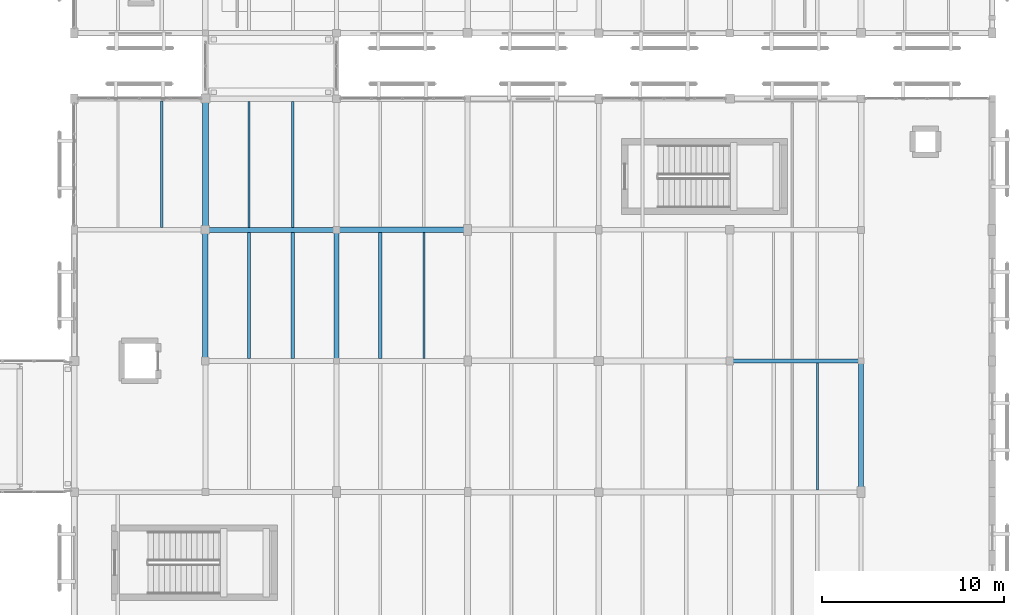
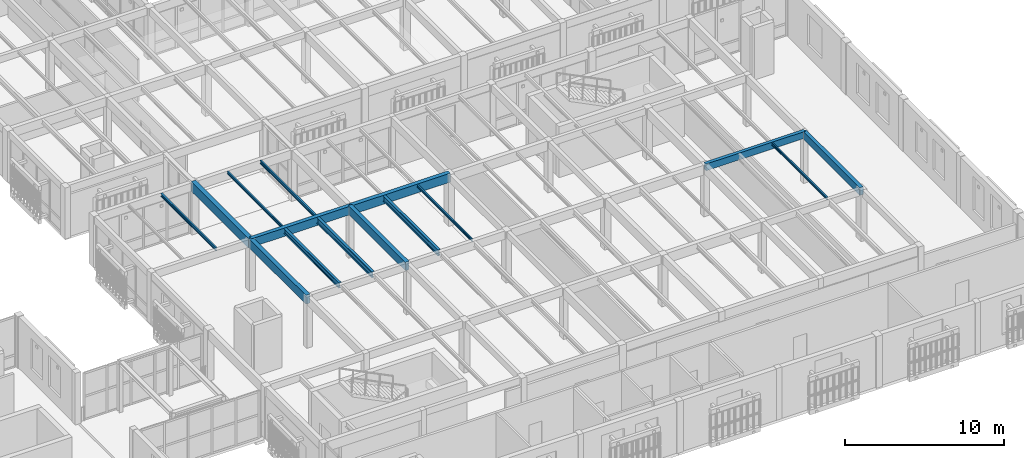
# One storey, part 135 of 217: 15 beams.
"""IFC4 building model written with IfcOpenShell, lengths in metres."""

from ifc_helpers import new_model, si_unit, direction, frame, origin, origin_2d, place, context, subcontext, project, spatial, rectangle, i_section, extrude, material, material_profile, profile_set, type_object, element, save


model = new_model("IFC4")

# Units and contexts
model_context = context("Model", 3, precision=1e-05, world=origin(), true_north=direction((0.0, 1.0)))
body_context = subcontext(model_context, "Body", "Model", "MODEL_VIEW")
ifc_project = project(units=[si_unit("LENGTHUNIT", "METRE"), si_unit("AREAUNIT", "SQUARE_METRE"), si_unit("VOLUMEUNIT", "CUBIC_METRE"), si_unit("PLANEANGLEUNIT", "RADIAN"), si_unit("MASSUNIT", "GRAM", prefix="KILO")], contexts=[model_context])

# Site, building, storey
site_placement = place(None, origin())
site = spatial("IfcSite", under=ifc_project, at=site_placement, CompositionType="ELEMENT")
building_placement = place(site_placement, origin())
building = spatial("IfcBuilding", under=site, at=building_placement, Name="Mazaris Harbour Polytechnic", CompositionType="ELEMENT")
storey_placement = place(building_placement, frame((0.0, 0.0, 9.60009765625)))
storey = spatial("IfcBuildingStorey", under=building, at=storey_placement, Name="L02", CompositionType="ELEMENT", Elevation=9.60009765625)

# Beams
ifc_material_1 = material(Name="Glulam GL32h", Category="wood")
ifc_material_profile_1 = material_profile(ifc_material_1, rectangle(XDim=0.239990234375, YDim=0.52001953125, at=origin_2d()), Name="RECT240x520")
ifc_profile_set_1 = profile_set([ifc_material_profile_1], Name="Glulam GL32h")
beam_type_1 = type_object("IfcBeamType", Name="Glulam Girder 240x520", PredefinedType="BEAM", material=ifc_profile_set_1)
beam_1_placement = place(storey_placement, frame((158.39990234375, 28.800048828125, 3.659912109375), z_axis=(1.0, 0.0, 0.0), x_axis=(0.0, 1.0, 0.0)))
element("IfcBeam", 1, at=beam_1_placement, inside=storey, type_object=beam_type_1, Name="V2 L02 Girder 660", PredefinedType="BEAM", context=body_context, shape_type="SweptSolid", body=[
    extrude(rectangle(XDim=0.239990234375, YDim=0.52001953125, at=origin_2d()), origin(), (0.0, 0.0, 1.0), 7.2001953125),
])
ifc_material_2 = material(Name="Glulam GL32h", Category="wood")
ifc_material_profile_2 = material_profile(ifc_material_2, rectangle(XDim=0.260009765625, YDim=0.580078125, at=origin_2d()), Name="RECT260x580")
ifc_profile_set_2 = profile_set([ifc_material_profile_2], Name="Glulam GL32h")
beam_type_2 = type_object("IfcBeamType", Name="Glulam Girder 260x580 Exterior", PredefinedType="BEAM", material=ifc_profile_set_2)
beam_2_placement = place(storey_placement, frame((165.60009765625, 21.60009765625, 3.6298828125), z_axis=(0.0, 1.0, 0.0), x_axis=(-1.0, 0.0, 0.0)))
element("IfcBeam", 2, at=beam_2_placement, inside=storey, type_object=beam_type_2, Name="V2 L02 Tie Girder 696", PredefinedType="BEAM", context=body_context, shape_type="SweptSolid", body=[
    extrude(rectangle(XDim=0.260009765625, YDim=0.580078125, at=origin_2d()), origin(), (0.0, 0.0, 1.0), 7.199951171875),
])
ifc_material_3 = material(Name="Glulam GL32h", Category="wood")
ifc_material_profile_3 = material_profile(ifc_material_3, rectangle(XDim=0.280029296875, YDim=0.639892578125, at=origin_2d()), Name="RECT280x640")
ifc_profile_set_3 = profile_set([ifc_material_profile_3], Name="Glulam GL32h")
beam_type_3 = type_object("IfcBeamType", Name="Glulam Girder 280x640", PredefinedType="BEAM", material=ifc_profile_set_3)
for number, where, z_axis, x_axis, name in (
    (3, (129.60009765625, 36.0, 3.599853515625), (1.0, 0.0, 0.0), (0.0, 1.0, 0.0), "V2 L02 Girder 662"),
    (4, (136.800048828125, 28.800048828125, 3.599853515625), (0.0, 1.0, 0.0), (-1.0, 0.0, 0.0), "V2 L02 Tie Girder 682"),
):
    element("IfcBeam", number, at=place(storey_placement, frame(where, z_axis=z_axis, x_axis=x_axis)), inside=storey, type_object=beam_type_3, Name=name, PredefinedType="BEAM", context=body_context, shape_type="SweptSolid", body=[
        extrude(rectangle(XDim=0.280029296875, YDim=0.639892578125, at=origin_2d()), origin(), (0.0, 0.0, 1.0), 7.199951171875),
    ])
ifc_material_4 = material(Name="Glulam GL32h", Category="wood")
ifc_material_profile_4 = material_profile(ifc_material_4, rectangle(XDim=0.300048828125, YDim=0.679931640625, at=origin_2d()), Name="RECT300x680")
ifc_profile_set_4 = profile_set([ifc_material_profile_4], Name="Glulam GL32h")
beam_type_4 = type_object("IfcBeamType", Name="Glulam Girder 300x680", PredefinedType="BEAM", material=ifc_profile_set_4)
for number, where, z_axis, x_axis, name in (
    (5, (136.800048828125, 36.0, 3.579833984375), (1.0, 0.0, 0.0), (0.0, 1.0, 0.0), "V2 L02 Girder 663"),
    (6, (129.60009765625, 28.800048828125, 3.579833984375), (0.0, 1.0, 0.0), (-1.0, 0.0, 0.0), "V2 L02 Tie Girder 678"),
):
    element("IfcBeam", number, at=place(storey_placement, frame(where, z_axis=z_axis, x_axis=x_axis)), inside=storey, type_object=beam_type_4, Name=name, PredefinedType="BEAM", context=body_context, shape_type="SweptSolid", body=[
        extrude(rectangle(XDim=0.300048828125, YDim=0.679931640625, at=origin_2d()), origin(), (0.0, 0.0, 1.0), 7.199951171875),
    ])
ifc_material_5 = material(Name="Glulam GL32h", Category="wood")
ifc_material_profile_5 = material_profile(ifc_material_5, rectangle(XDim=0.320068359375, YDim=0.739990234375, at=origin_2d()), Name="RECT320x740")
ifc_profile_set_5 = profile_set([ifc_material_profile_5], Name="Glulam GL32h")
beam_type_5 = type_object("IfcBeamType", Name="Glulam Girder 320x740", PredefinedType="BEAM", material=ifc_profile_set_5)
beam_3_placement = place(storey_placement, frame((129.60009765625, 36.0, 3.5498046875), z_axis=(0.0, 1.0, 0.0), x_axis=(-1.0, 0.0, 0.0)))
element("IfcBeam", 7, at=beam_3_placement, inside=storey, type_object=beam_type_5, Name="V2 L02 Tie Girder 679", PredefinedType="BEAM", context=body_context, shape_type="SweptSolid", body=[
    extrude(rectangle(XDim=0.320068359375, YDim=0.739990234375, at=origin_2d()), origin(), (0.0, 0.0, 1.0), 7.199951171875),
])
ifc_material_6 = material(Name="Steel S355", Category="steel")
ifc_material_profile_6 = material_profile(ifc_material_6, i_section(OverallWidth=0.10009765625, OverallDepth=0.199951171875, WebThickness=0.005615234375, FlangeThickness=0.008544921875, FilletRadius=0.011962890625, at=origin_2d()), Name="IPE 200")
ifc_profile_set_6 = profile_set([ifc_material_profile_6], Name="Steel S355")
beam_type_6 = type_object("IfcBeamType", Name="Steel Joist IPE200", PredefinedType="JOIST", material=ifc_profile_set_6)
for number, where, z_axis, x_axis, name in (
    (8, (132.0, 36.139892578125, 3.81982421875), (0.0, 1.0, 0.0), (-1.0, 0.0, 0.0), "V2 L02 Floor Joist 707"),
    (9, (141.60009765625, 28.93994140625, 3.81982421875), (0.0, 1.0, 0.0), (-1.0, 0.0, 0.0), "V2 L02 Floor Joist 714"),
):
    element("IfcBeam", number, at=place(storey_placement, frame(where, z_axis=z_axis, x_axis=x_axis)), inside=storey, type_object=beam_type_6, Name=name, PredefinedType="JOIST", context=body_context, shape_type="SweptSolid", body=[
        extrude(i_section(OverallWidth=0.10009765625, OverallDepth=0.199951171875, WebThickness=0.005615234375, FlangeThickness=0.008544921875, FilletRadius=0.011962890625, at=origin_2d()), origin(), (0.0, 0.0, 1.0), 6.91015625),
    ])
beam_4_placement = place(storey_placement, frame((163.199951171875, 21.719970703125, 3.81982421875), z_axis=(0.0, 1.0, 0.0), x_axis=(-1.0, 0.0, 0.0)))
element("IfcBeam", 10, at=beam_4_placement, inside=storey, type_object=beam_type_6, Name="V2 L02 Floor Joist 735", PredefinedType="JOIST", context=body_context, shape_type="SweptSolid", body=[
    extrude(i_section(OverallWidth=0.10009765625, OverallDepth=0.199951171875, WebThickness=0.005615234375, FlangeThickness=0.008544921875, FilletRadius=0.011962890625, at=origin_2d()), origin(), (0.0, 0.0, 1.0), 6.9599609375),
])
ifc_material_7 = material(Name="Steel S355", Category="steel")
ifc_material_profile_7 = material_profile(ifc_material_7, i_section(OverallWidth=0.1201171875, OverallDepth=0.239990234375, WebThickness=0.006103515625, FlangeThickness=0.009765625, FilletRadius=0.014892578125, at=origin_2d()), Name="IPE 240")
ifc_profile_set_7 = profile_set([ifc_material_profile_7], Name="Steel S355")
beam_type_7 = type_object("IfcBeamType", Name="Steel Joist IPE240", PredefinedType="JOIST", material=ifc_profile_set_7)
beam_5_placement = place(storey_placement, frame((127.199951171875, 36.1298828125, 3.7998046875), z_axis=(0.0, 1.0, 0.0), x_axis=(-1.0, 0.0, 0.0)))
element("IfcBeam", 11, at=beam_5_placement, inside=storey, type_object=beam_type_7, Name="V2 L02 Floor Joist 701", PredefinedType="JOIST", context=body_context, shape_type="SweptSolid", body=[
    extrude(i_section(OverallWidth=0.1201171875, OverallDepth=0.239990234375, WebThickness=0.006103515625, FlangeThickness=0.009765625, FilletRadius=0.014892578125, at=origin_2d()), origin(), (0.0, 0.0, 1.0), 6.93017578125),
])
beam_6_placement = place(storey_placement, frame((134.39990234375, 36.139892578125, 3.7998046875), z_axis=(0.0, 1.0, 0.0), x_axis=(-1.0, 0.0, 0.0)))
element("IfcBeam", 12, at=beam_6_placement, inside=storey, type_object=beam_type_7, Name="V2 L02 Floor Joist 708", PredefinedType="JOIST", context=body_context, shape_type="SweptSolid", body=[
    extrude(i_section(OverallWidth=0.1201171875, OverallDepth=0.239990234375, WebThickness=0.006103515625, FlangeThickness=0.009765625, FilletRadius=0.014892578125, at=origin_2d()), origin(), (0.0, 0.0, 1.0), 6.91015625),
])
ifc_material_8 = material(Name="Steel S355", Category="steel")
ifc_material_profile_8 = material_profile(ifc_material_8, i_section(OverallWidth=0.179931640625, OverallDepth=0.39990234375, WebThickness=0.008544921875, FlangeThickness=0.013427734375, FilletRadius=0.02099609375, at=origin_2d()), Name="IPE 400")
ifc_profile_set_8 = profile_set([ifc_material_profile_8], Name="Steel S355")
beam_type_8 = type_object("IfcBeamType", Name="Steel Joist IPE400", PredefinedType="JOIST", material=ifc_profile_set_8)
beam_7_placement = place(storey_placement, frame((132.0, 28.929931640625, 3.719970703125), z_axis=(0.0, 1.0, 0.0), x_axis=(-1.0, 0.0, 0.0)))
element("IfcBeam", 13, at=beam_7_placement, inside=storey, type_object=beam_type_8, Name="V2 L02 Floor Joist 705", PredefinedType="JOIST", context=body_context, shape_type="SweptSolid", body=[
    extrude(i_section(OverallWidth=0.179931640625, OverallDepth=0.39990234375, WebThickness=0.008544921875, FlangeThickness=0.013427734375, FilletRadius=0.02099609375, at=origin_2d()), origin(), (0.0, 0.0, 1.0), 6.93017578125),
])
ifc_material_9 = material(Name="Steel S355", Category="steel")
ifc_material_profile_9 = material_profile(ifc_material_9, i_section(OverallWidth=0.18994140625, OverallDepth=0.449951171875, WebThickness=0.009521484375, FlangeThickness=0.0146484375, FilletRadius=0.02099609375, at=origin_2d()), Name="IPE 450")
ifc_profile_set_9 = profile_set([ifc_material_profile_9], Name="Steel S355")
beam_type_9 = type_object("IfcBeamType", Name="Steel Joist IPE450", PredefinedType="JOIST", material=ifc_profile_set_9)
beam_8_placement = place(storey_placement, frame((134.39990234375, 28.929931640625, 3.69482421875), z_axis=(0.0, 1.0, 0.0), x_axis=(-1.0, 0.0, 0.0)))
element("IfcBeam", 14, at=beam_8_placement, inside=storey, type_object=beam_type_9, Name="V2 L02 Floor Joist 706", PredefinedType="JOIST", context=body_context, shape_type="SweptSolid", body=[
    extrude(i_section(OverallWidth=0.18994140625, OverallDepth=0.449951171875, WebThickness=0.009521484375, FlangeThickness=0.0146484375, FilletRadius=0.02099609375, at=origin_2d()), origin(), (0.0, 0.0, 1.0), 6.93017578125),
])
beam_9_placement = place(storey_placement, frame((139.199951171875, 28.93994140625, 3.69482421875), z_axis=(0.0, 1.0, 0.0), x_axis=(-1.0, 0.0, 0.0)))
element("IfcBeam", 15, at=beam_9_placement, inside=storey, type_object=beam_type_9, Name="V2 L02 Floor Joist 713", PredefinedType="JOIST", context=body_context, shape_type="SweptSolid", body=[
    extrude(i_section(OverallWidth=0.18994140625, OverallDepth=0.449951171875, WebThickness=0.009521484375, FlangeThickness=0.0146484375, FilletRadius=0.02099609375, at=origin_2d()), origin(), (0.0, 0.0, 1.0), 6.91015625),
])

save(model, "model.ifc")
